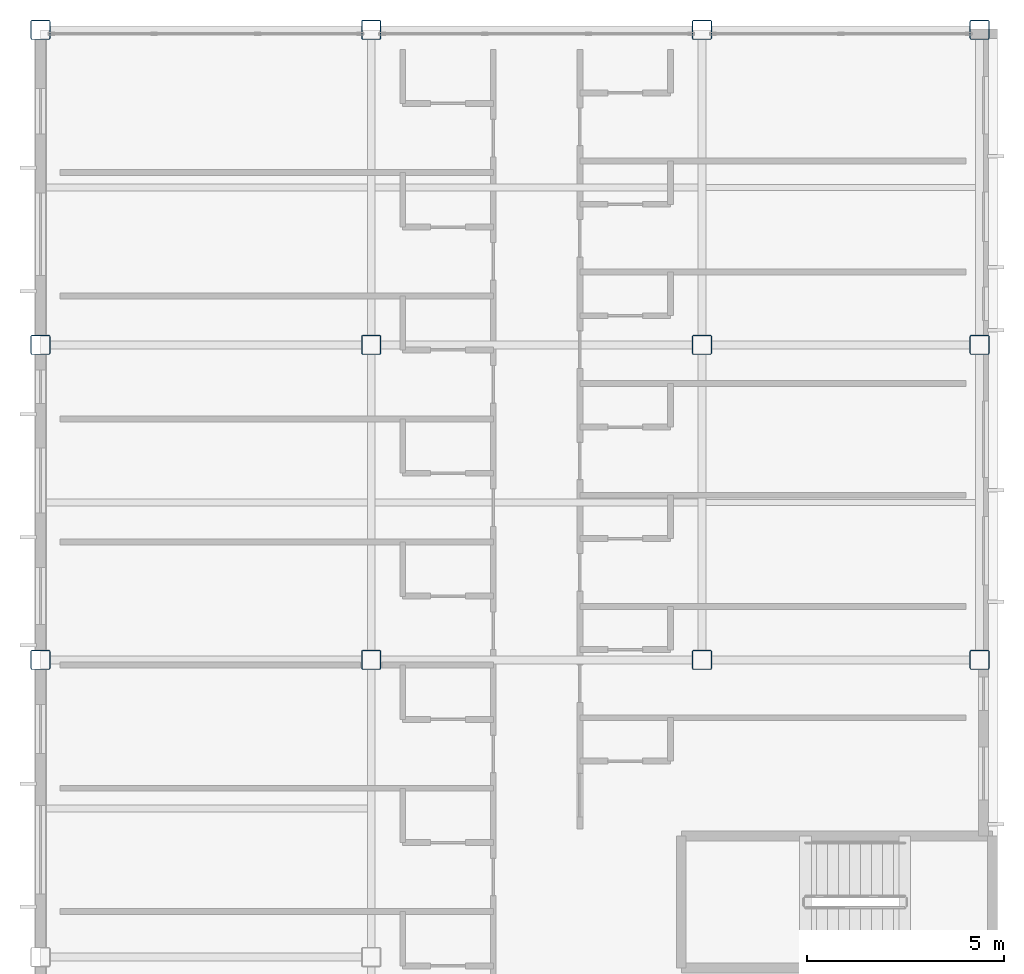
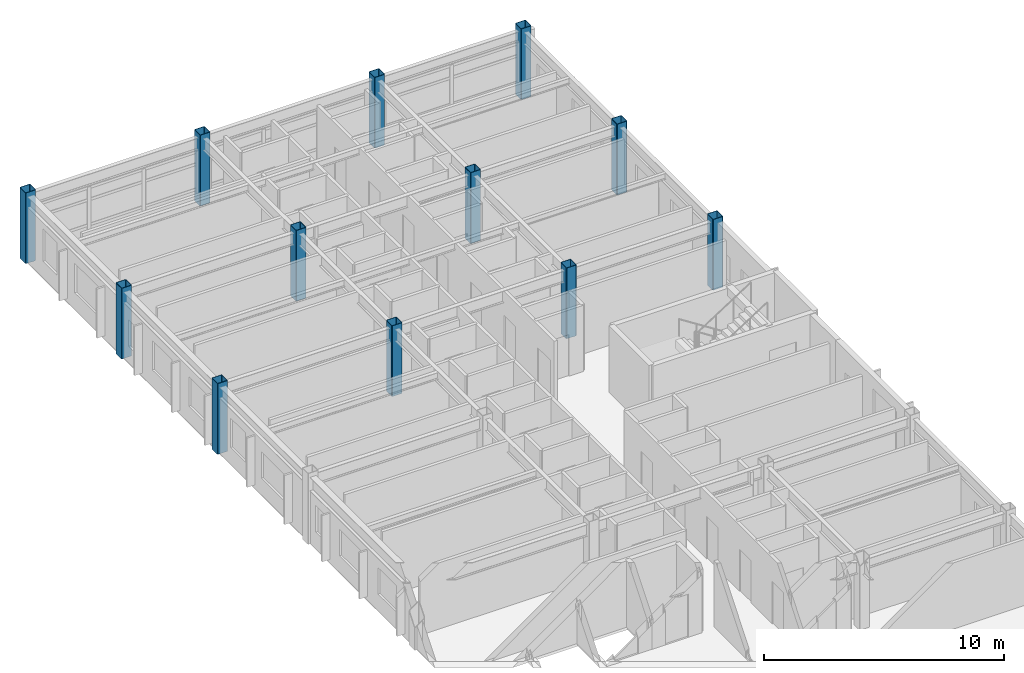
# One storey, part 2 of 35: 12 columns.
"""IFC4 building model written with IfcOpenShell, lengths in metres."""

import ifcopenshell
import ifcopenshell.guid

model = None  # the IFC model being written
_history = None  # IfcOwnerHistory: only IFC2X3 demands one
_inside = {}  # id of a spatial element -> (the spatial element, [elements in it])
_under = {}  # id of a project, library or spatial element -> (it, [spatial elements below it])
_declared = {}  # id of a project -> (the project, [libraries it declares])
_typed = {}  # id of a type object -> (the type object, [elements of that type])
_made_of = {}  # id of a material, layer set ... -> (it, [elements and type objects made of it])


def new_model(schema):
    """Start an empty IFC model of exactly this schema.

    Asked for "IFC4X3", IfcOpenShell would pick the latest addendum, in which some entities
    have other attributes; the version numbers below select the first issue.
    IFC2X3 requires an IfcOwnerHistory on every rooted entity: one is made here for all.
    """
    global model, _history
    if schema == "IFC4X3":
        model = ifcopenshell.file(schema_version=(4, 3, 0, 0))
    else:
        model = ifcopenshell.file(schema=schema)
    _inside.clear()
    _under.clear()
    _declared.clear()
    _typed.clear()
    _made_of.clear()
    _history = None
    if model.schema == "IFC2X3":
        org = make("IfcOrganization", Name="unknown")
        user = make(
            "IfcPersonAndOrganization",
            ThePerson=make("IfcPerson", FamilyName="unknown"),
            TheOrganization=org,
        )
        app = make(
            "IfcApplication",
            ApplicationDeveloper=org,
            Version="unknown",
            ApplicationFullName="unknown",
            ApplicationIdentifier="unknown",
        )
        _history = make(
            "IfcOwnerHistory",
            OwningUser=user,
            OwningApplication=app,
            ChangeAction="ADDED",
            CreationDate=0,
        )
    return model


def make(cls, **values):
    """One entity of the class cls with the attributes given. An attribute that is None is left unset."""
    return model.create_entity(
        cls, **{name: value for name, value in values.items() if value is not None}
    )


def rooted(cls, **values):
    """An entity with a GlobalId (a new one), such as an element, a storey or a relation."""
    return make(cls, GlobalId=ifcopenshell.guid.new(), OwnerHistory=_history, **values)


def si_unit(unit_type, name, prefix=None):
    """IfcSIUnit, for example si_unit("LENGTHUNIT", "METRE", prefix="MILLI")."""
    return make("IfcSIUnit", UnitType=unit_type, Prefix=prefix, Name=name)


def assignment(units):
    """IfcUnitAssignment: the units of a project."""
    return None if units is None else make("IfcUnitAssignment", Units=units)


def point(xyz):
    """IfcCartesianPoint."""
    return None if xyz is None else make("IfcCartesianPoint", Coordinates=xyz)


def direction(xyz):
    """IfcDirection."""
    return None if xyz is None else make("IfcDirection", DirectionRatios=xyz)


def frame(location, z_axis=None, x_axis=None):
    """IfcAxis2Placement3D, a coordinate frame: its origin and axes. An axis left out is left unset."""
    return make(
        "IfcAxis2Placement3D",
        Location=point(location),
        Axis=direction(z_axis),
        RefDirection=direction(x_axis),
    )


def frame_2d(location, x_axis=None):
    """IfcAxis2Placement2D, a coordinate frame in the plane: its origin and x axis."""
    return make(
        "IfcAxis2Placement2D", Location=point(location), RefDirection=direction(x_axis)
    )


def origin():
    """The frame at (0, 0, 0) with its axes left unset."""
    return frame((0.0, 0.0, 0.0))


def origin_2d():
    """The frame at (0, 0) in the plane with its x axis left unset."""
    return frame_2d((0.0, 0.0))


def place(relative_to, where):
    """IfcLocalPlacement: puts the frame where relative to a parent placement (None: the world)."""
    return make(
        "IfcLocalPlacement", PlacementRelTo=relative_to, RelativePlacement=where
    )


def context(
    kind, dimensions, precision=None, world=None, true_north=None, identifier=None
):
    """IfcGeometricRepresentationContext, for example the 3D "Model" context."""
    return make(
        "IfcGeometricRepresentationContext",
        ContextIdentifier=identifier,
        ContextType=kind,
        CoordinateSpaceDimension=dimensions,
        Precision=precision,
        WorldCoordinateSystem=world,
        TrueNorth=true_north,
    )


def subcontext(parent, identifier, kind, view, scale=None):
    """IfcGeometricRepresentationSubContext, for example "Body" below "Model"."""
    return make(
        "IfcGeometricRepresentationSubContext",
        ContextIdentifier=identifier,
        ContextType=kind,
        ParentContext=parent,
        TargetScale=scale,
        TargetView=view,
    )


def project(units=None, contexts=None):
    """IfcProject with its units and contexts."""
    return rooted(
        "IfcProject",
        Name="project",
        RepresentationContexts=contexts,
        UnitsInContext=assignment(units),
    )


def spatial(cls, under=None, at=None, **own):
    """A site, building, storey or space (cls), placed at a placement, below another one or the project."""
    s = rooted(cls, ObjectPlacement=at, **own)
    if under is not None:
        _under.setdefault(under.id(), (under, []))[1].append(s)
    return s


def profile(cls, at=None, kind="AREA", **sizes):
    """A parametric profile (cls). Its sizes go by their IFC names, for example OverallWidth=200.0."""
    return make(cls, ProfileType=kind, Position=at, **sizes)


def hollow_rectangle(**sizes):
    """IfcRectangleHollowProfileDef."""
    return profile("IfcRectangleHollowProfileDef", **sizes)


def extrude(swept, where, along, depth):
    """IfcExtrudedAreaSolid: the profile swept, set in the frame where, extruded along a direction by depth."""
    return make(
        "IfcExtrudedAreaSolid",
        SweptArea=swept,
        Position=where,
        ExtrudedDirection=direction(along),
        Depth=depth,
    )


def shape(context_of_items, identifier, shape_type, items):
    """IfcShapeRepresentation: the items that make up one representation, for example the "Body"."""
    return make(
        "IfcShapeRepresentation",
        ContextOfItems=context_of_items,
        RepresentationIdentifier=identifier,
        RepresentationType=shape_type,
        Items=items,
    )


def material(Name=None, Category=None):
    """IfcMaterial."""
    return make("IfcMaterial", Name=Name, Category=Category)


def material_profile(
    of_material, cross_section, Name=None, Category=None, Priority=None
):
    """IfcMaterialProfile: a cross section and its material."""
    return make(
        "IfcMaterialProfile",
        Name=Name,
        Material=of_material,
        Profile=cross_section,
        Priority=Priority,
        Category=Category,
    )


def profile_set(profiles, Name=None, composite=None):
    """IfcMaterialProfileSet."""
    return make(
        "IfcMaterialProfileSet",
        Name=Name,
        MaterialProfiles=profiles,
        CompositeProfile=composite,
    )


def made_of(thing, what):
    """Note that an element or type object is made of a material, layer set ...; save() writes the relation."""
    if what is not None:
        _made_of.setdefault(what.id(), (what, []))[1].append(thing)
    return thing


def type_object(cls, material=None, **own):
    """A type object (cls), such as IfcWallType, which elements share."""
    return made_of(rooted(cls, **own), material)


def element(
    cls,
    number,
    at=None,
    inside=None,
    cuts=None,
    type_object=None,
    material=None,
    context=None,
    identifier="Body",
    shape_type=None,
    held_by="IfcProductDefinitionShape",
    body=None,
    shapes=None,
    **own,
):
    """One element of the class cls, such as IfcWall. Its Tag is "e" and its number.

    at: its placement. inside: the storey or other place that contains it. cuts: it is an
    opening in that element (IfcRelVoidsElement). A single representation is given by context,
    identifier, shape_type and body (its items); several are given by shapes. held_by: the class
    of the entity that holds the representations. save() writes the other relations.
    """
    e = rooted(cls, Tag="e%d" % number, ObjectPlacement=at, **own)
    if body is not None:
        shapes = [shape(context, identifier, shape_type, body)]
    if shapes is not None:
        e.Representation = make(held_by, Representations=shapes)
    if inside is not None:
        _inside.setdefault(inside.id(), (inside, []))[1].append(e)
    if cuts is not None:
        rooted(
            "IfcRelVoidsElement", RelatingBuildingElement=cuts, RelatedOpeningElement=e
        )
    if type_object is not None:
        _typed.setdefault(type_object.id(), (type_object, []))[1].append(e)
    return made_of(e, material)


def aggregate(whole, parts):
    """IfcRelAggregates: a whole, such as a stair, and the parts it consists of."""
    return rooted("IfcRelAggregates", RelatingObject=whole, RelatedObjects=parts)


def save(model, path):
    """Write the relations noted so far, then the file.

    IfcRelAggregates (storeys below a building ...), IfcRelContainedInSpatialStructure (elements
    in a storey), IfcRelDefinesByType, IfcRelAssociatesMaterial and IfcRelDeclares: one each for
    every whole, place, type object, material and project.
    """
    for whole, parts in _under.values():
        aggregate(whole, parts)
    for where, things in _inside.values():
        rooted(
            "IfcRelContainedInSpatialStructure",
            RelatedElements=things,
            RelatingStructure=where,
        )
    for kind, things in _typed.values():
        rooted("IfcRelDefinesByType", RelatedObjects=things, RelatingType=kind)
    for what, things in _made_of.values():
        rooted("IfcRelAssociatesMaterial", RelatedObjects=things, RelatingMaterial=what)
    for by, libraries in _declared.values():
        rooted("IfcRelDeclares", RelatingContext=by, RelatedDefinitions=libraries)
    model.write(path)


model = new_model("IFC4")

# Units and contexts
model_context = context("Model", 3, precision=1e-05, world=origin(), true_north=direction((0.0, 1.0)))
body_context = subcontext(model_context, "Body", "Model", "MODEL_VIEW")
ifc_project = project(units=[si_unit("LENGTHUNIT", "METRE"), si_unit("AREAUNIT", "SQUARE_METRE"), si_unit("VOLUMEUNIT", "CUBIC_METRE"), si_unit("PLANEANGLEUNIT", "RADIAN"), si_unit("MASSUNIT", "GRAM", prefix="KILO")], contexts=[model_context])

# Site, building, storey
site_placement = place(None, origin())
site = spatial("IfcSite", under=ifc_project, at=site_placement, CompositionType="ELEMENT")
building_placement = place(site_placement, origin())
building = spatial("IfcBuilding", under=site, at=building_placement, Name="Kazehara Bluff Congress Hotel", CompositionType="ELEMENT")
storey_placement = place(building_placement, frame((0.0, 0.0, 35.39990234375)))
storey = spatial("IfcBuildingStorey", under=building, at=storey_placement, Name="L08", CompositionType="ELEMENT", Elevation=35.39990234375)

# Columns
ifc_material = material(Name="Steel BCR295", Category="steel")
ifc_material_profile = material_profile(ifc_material, hollow_rectangle(XDim=0.5, YDim=0.5, WallThickness=0.02197265625, InnerFilletRadius=0.02197265625, OuterFilletRadius=0.0439453125, at=origin_2d()))
ifc_profile_set = profile_set([ifc_material_profile], Name="Steel BCR295")
column_type = type_object("IfcColumnType", Name="TP-C-07", PredefinedType="COLUMN", material=ifc_profile_set)
for number, where, z_axis, x_axis, name in (
    (1, (143.699951171875, 80.89990234375, 0.0), (0.0, 0.0, 1.0), (1.0, 0.0, 0.0), "L08 column C-07 (143.70,80.90)"),
    (2, (143.699951171875, 88.89990234375, 0.0), (0.0, 0.0, 1.0), (1.0, 0.0, 0.0), "L08 column C-07 (143.70,88.90)"),
    (3, (143.699951171875, 96.89990234375, 0.0), (0.0, 0.0, 1.0), (1.0, 0.0, 0.0), "L08 column C-07 (143.70,96.90)"),
    (4, (152.10009765625, 80.89990234375, 0.0), (0.0, 0.0, 1.0), (1.0, 0.0, 0.0), "L08 column C-07 (152.10,80.90)"),
    (5, (152.10009765625, 88.89990234375, 0.0), (0.0, 0.0, 1.0), (1.0, 0.0, 0.0), "L08 column C-07 (152.10,88.90)"),
    (6, (152.10009765625, 96.89990234375, 0.0), (0.0, 0.0, 1.0), (1.0, 0.0, 0.0), "L08 column C-07 (152.10,96.90)"),
    (7, (160.5, 80.89990234375, 0.0), (0.0, 0.0, 1.0), (1.0, 0.0, 0.0), "L08 column C-07 (160.50,80.90)"),
    (8, (160.5, 88.89990234375, 0.0), (0.0, 0.0, 1.0), (1.0, 0.0, 0.0), "L08 column C-07 (160.50,88.90)"),
    (9, (160.5, 96.89990234375, 0.0), (0.0, 0.0, 1.0), (1.0, 0.0, 0.0), "L08 column C-07 (160.50,96.90)"),
    (10, (167.550048828125, 80.89990234375, 0.0), (0.0, 0.0, 1.0), (1.0, 0.0, 0.0), "L08 column C-07 (167.55,80.90)"),
    (11, (167.550048828125, 88.89990234375, 0.0), (0.0, 0.0, 1.0), (1.0, 0.0, 0.0), "L08 column C-07 (167.55,88.90)"),
    (12, (167.550048828125, 96.89990234375, 0.0), (0.0, 0.0, 1.0), (1.0, 0.0, 0.0), "L08 column C-07 (167.55,96.90)"),
):
    element("IfcColumn", number, at=place(storey_placement, frame(where, z_axis=z_axis, x_axis=x_axis)), inside=storey, type_object=column_type, Name=name, PredefinedType="COLUMN", context=body_context, shape_type="SweptSolid", body=[
        extrude(hollow_rectangle(XDim=0.5, YDim=0.5, WallThickness=0.02197265625, InnerFilletRadius=0.02197265625, OuterFilletRadius=0.0439453125, at=origin_2d()), origin(), (0.0, 0.0, 1.0), 3.60009765625),
    ])

save(model, "model.ifc")
